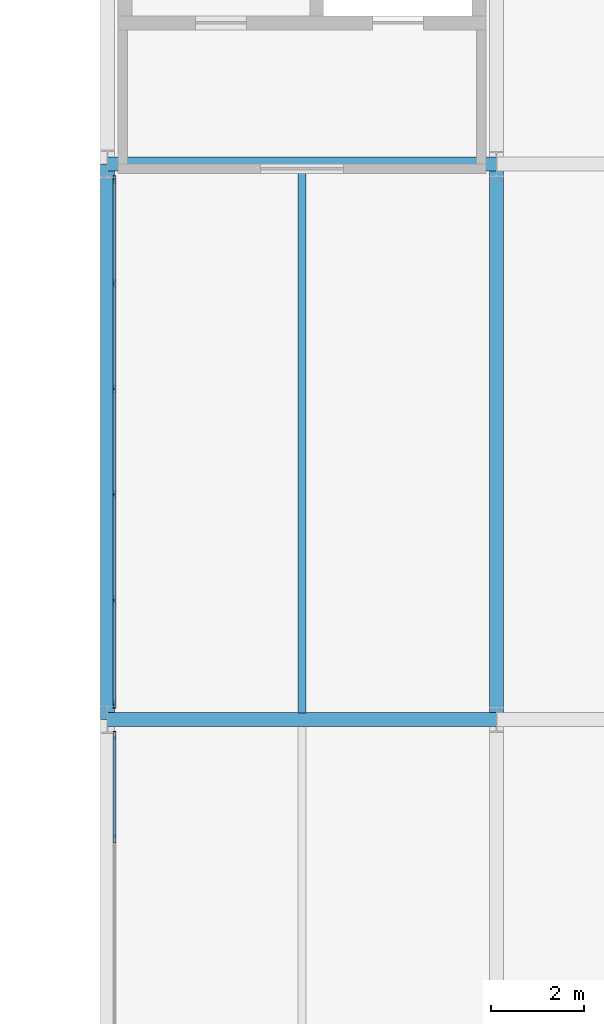
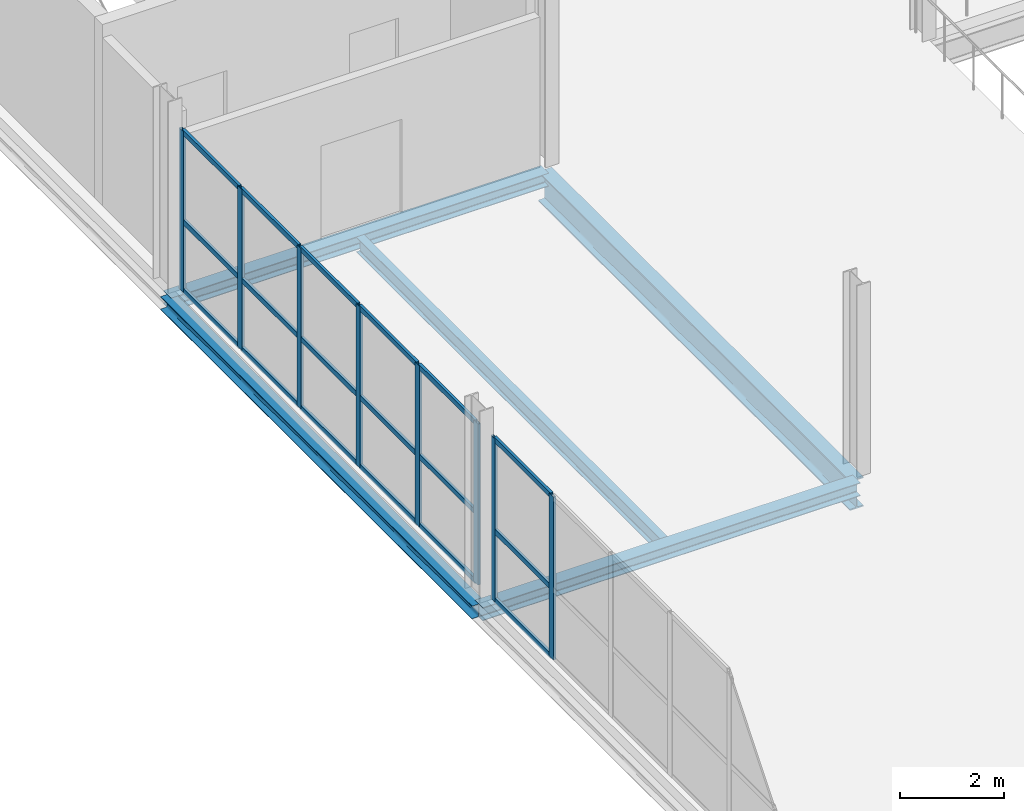
# One storey, part 32 of 109: 26 members, 5 beams, 2 elements without a shape of their own.
"""IFC4 building model written with IfcOpenShell, lengths in metres."""

from ifc_helpers import new_model, si_unit, direction, frame, origin, origin_2d, place, context, subcontext, project, spatial, hollow_rectangle, i_section, extrude, material, material_profile, profile_set, type_object, element, aggregate, save


model = new_model("IFC4")

# Units and contexts
model_context = context("Model", 3, precision=1e-05, world=origin(), true_north=direction((0.0, 1.0)))
body_context = subcontext(model_context, "Body", "Model", "MODEL_VIEW")
ifc_project = project(units=[si_unit("LENGTHUNIT", "METRE"), si_unit("AREAUNIT", "SQUARE_METRE"), si_unit("VOLUMEUNIT", "CUBIC_METRE"), si_unit("PLANEANGLEUNIT", "RADIAN"), si_unit("MASSUNIT", "GRAM", prefix="KILO")], contexts=[model_context])

# Site, building, storey
site_placement = place(None, origin())
site = spatial("IfcSite", under=ifc_project, at=site_placement, CompositionType="ELEMENT")
building_placement = place(site_placement, origin())
building = spatial("IfcBuilding", under=site, at=building_placement, Name="Veltarok Museum of Natural Sciences", CompositionType="ELEMENT")
storey_placement = place(building_placement, frame((0.0, 0.0, 17.39990234375)))
storey = spatial("IfcBuildingStorey", under=building, at=storey_placement, Name="L03", CompositionType="ELEMENT", Elevation=17.39990234375)

# Curtain wall, members
ifc_material_1 = material(Name="Low-iron triple insulated glass", Category="glass")
curtain_wall_type_1 = type_object("IfcCurtainWallType", Name="Curtain Wall System CW-V2W-L03-1-1140x383 (CW-V2W L03 1140x383cm)", PredefinedType="NOTDEFINED", material=ifc_material_1)
curtain_wall_1_placement = place(storey_placement, origin())
curtain_wall_1 = element("IfcCurtainWall", 1, at=curtain_wall_1_placement, inside=storey, type_object=curtain_wall_type_1, Name="Curtain Wall CW-V2W-L03-1-1140x383 CW-0145", PredefinedType="NOTDEFINED")
ifc_material_2 = material(Name="Thermally broken anodised aluminium", Category="aluminium")
ifc_material_profile_1 = material_profile(ifc_material_2, hollow_rectangle(XDim=0.06005859375, YDim=0.1201171875, WallThickness=0.0048828125, at=origin_2d()), Name="CW TRANSOM 60x120x5")
ifc_profile_set_1 = profile_set([ifc_material_profile_1], Name="Thermally broken anodised aluminium")
member_type_1 = type_object("IfcMemberType", Name="Curtain Wall Horizontal Transom 60x120x5", PredefinedType="USERDEFINED", material=ifc_profile_set_1)
member_1_placement = place(storey_placement, frame((40.14990234375, 45.449951171875, 0.028076171875), z_axis=(0.0, 1.0, 0.0), x_axis=(-1.0, 0.0, 0.0)))
member_1 = element("IfcMember", 2, at=member_1_placement, type_object=member_type_1, Name="CW-V2W-L03-1-1140x383 transom 5.1", ObjectType="TRANSOM", PredefinedType="USERDEFINED", context=body_context, shape_type="SweptSolid", body=[
    extrude(hollow_rectangle(XDim=0.06005859375, YDim=0.1201171875, WallThickness=0.0048828125, at=origin_2d()), origin(), (0.0, 0.0, 1.0), 2.18994140625),
])
member_2_placement = place(storey_placement, frame((40.14990234375, 45.449951171875, 1.648193359375), z_axis=(0.0, 1.0, 0.0), x_axis=(-1.0, 0.0, 0.0)))
member_2 = element("IfcMember", 3, at=member_2_placement, type_object=member_type_1, Name="CW-V2W-L03-1-1140x383 transom 5.2", ObjectType="TRANSOM", PredefinedType="USERDEFINED", context=body_context, shape_type="SweptSolid", body=[
    extrude(hollow_rectangle(XDim=0.06005859375, YDim=0.1201171875, WallThickness=0.0048828125, at=origin_2d()), origin(), (0.0, 0.0, 1.0), 2.18994140625),
])
member_3_placement = place(storey_placement, frame((40.14990234375, 45.449951171875, 3.800048828125), z_axis=(0.0, 1.0, 0.0), x_axis=(-1.0, 0.0, 0.0)))
member_3 = element("IfcMember", 4, at=member_3_placement, type_object=member_type_1, Name="CW-V2W-L03-1-1140x383 transom 5.3", ObjectType="TRANSOM", PredefinedType="USERDEFINED", context=body_context, shape_type="SweptSolid", body=[
    extrude(hollow_rectangle(XDim=0.06005859375, YDim=0.1201171875, WallThickness=0.0048828125, at=origin_2d()), origin(), (0.0, 0.0, 1.0), 2.18994140625),
])

curtain_wall_type_2 = type_object("IfcCurtainWallType", Name="Curtain Wall System CW-V2W-L03-2-1140x378 (CW-V2W L03 1140x378cm)", PredefinedType="NOTDEFINED", material=ifc_material_1)
curtain_wall_2_placement = place(storey_placement, origin())
curtain_wall_2 = element("IfcCurtainWall", 5, at=curtain_wall_2_placement, inside=storey, type_object=curtain_wall_type_2, Name="Curtain Wall CW-V2W-L03-2-1140x378 CW-0146", PredefinedType="NOTDEFINED")
member_4_placement = place(storey_placement, frame((40.14990234375, 48.360107421875, 0.028076171875), z_axis=(0.0, 1.0, 0.0), x_axis=(-1.0, 0.0, 0.0)))
member_4 = element("IfcMember", 6, at=member_4_placement, type_object=member_type_1, Name="CW-V2W-L03-2-1140x378 transom 1.1", ObjectType="TRANSOM", PredefinedType="USERDEFINED", context=body_context, shape_type="SweptSolid", body=[
    extrude(hollow_rectangle(XDim=0.06005859375, YDim=0.1201171875, WallThickness=0.0048828125, at=origin_2d()), origin(), (0.0, 0.0, 1.0), 2.18994140625),
])
member_5_placement = place(storey_placement, frame((40.14990234375, 48.360107421875, 1.648193359375), z_axis=(0.0, 1.0, 0.0), x_axis=(-1.0, 0.0, 0.0)))
member_5 = element("IfcMember", 7, at=member_5_placement, type_object=member_type_1, Name="CW-V2W-L03-2-1140x378 transom 1.2", ObjectType="TRANSOM", PredefinedType="USERDEFINED", context=body_context, shape_type="SweptSolid", body=[
    extrude(hollow_rectangle(XDim=0.06005859375, YDim=0.1201171875, WallThickness=0.0048828125, at=origin_2d()), origin(), (0.0, 0.0, 1.0), 2.18994140625),
])
member_6_placement = place(storey_placement, frame((40.14990234375, 48.360107421875, 3.75), z_axis=(0.0, 1.0, 0.0), x_axis=(-1.0, 0.0, 0.0)))
member_6 = element("IfcMember", 8, at=member_6_placement, type_object=member_type_1, Name="CW-V2W-L03-2-1140x378 transom 1.3", ObjectType="TRANSOM", PredefinedType="USERDEFINED", context=body_context, shape_type="SweptSolid", body=[
    extrude(hollow_rectangle(XDim=0.06005859375, YDim=0.1201171875, WallThickness=0.0048828125, at=origin_2d()), origin(), (0.0, 0.0, 1.0), 2.18994140625),
])
member_7_placement = place(storey_placement, frame((40.14990234375, 50.610107421875, 0.028076171875), z_axis=(0.0, 1.0, 0.0), x_axis=(-1.0, 0.0, 0.0)))
member_7 = element("IfcMember", 9, at=member_7_placement, type_object=member_type_1, Name="CW-V2W-L03-2-1140x378 transom 2.1", ObjectType="TRANSOM", PredefinedType="USERDEFINED", context=body_context, shape_type="SweptSolid", body=[
    extrude(hollow_rectangle(XDim=0.06005859375, YDim=0.1201171875, WallThickness=0.0048828125, at=origin_2d()), origin(), (0.0, 0.0, 1.0), 2.219970703125),
])
member_8_placement = place(storey_placement, frame((40.14990234375, 50.610107421875, 1.648193359375), z_axis=(0.0, 1.0, 0.0), x_axis=(-1.0, 0.0, 0.0)))
member_8 = element("IfcMember", 10, at=member_8_placement, type_object=member_type_1, Name="CW-V2W-L03-2-1140x378 transom 2.2", ObjectType="TRANSOM", PredefinedType="USERDEFINED", context=body_context, shape_type="SweptSolid", body=[
    extrude(hollow_rectangle(XDim=0.06005859375, YDim=0.1201171875, WallThickness=0.0048828125, at=origin_2d()), origin(), (0.0, 0.0, 1.0), 2.219970703125),
])
member_9_placement = place(storey_placement, frame((40.14990234375, 50.610107421875, 3.75), z_axis=(0.0, 1.0, 0.0), x_axis=(-1.0, 0.0, 0.0)))
member_9 = element("IfcMember", 11, at=member_9_placement, type_object=member_type_1, Name="CW-V2W-L03-2-1140x378 transom 2.3", ObjectType="TRANSOM", PredefinedType="USERDEFINED", context=body_context, shape_type="SweptSolid", body=[
    extrude(hollow_rectangle(XDim=0.06005859375, YDim=0.1201171875, WallThickness=0.0048828125, at=origin_2d()), origin(), (0.0, 0.0, 1.0), 2.219970703125),
])
member_10_placement = place(storey_placement, frame((40.14990234375, 52.889892578125, 0.028076171875), z_axis=(0.0, 1.0, 0.0), x_axis=(-1.0, 0.0, 0.0)))
member_10 = element("IfcMember", 12, at=member_10_placement, type_object=member_type_1, Name="CW-V2W-L03-2-1140x378 transom 3.1", ObjectType="TRANSOM", PredefinedType="USERDEFINED", context=body_context, shape_type="SweptSolid", body=[
    extrude(hollow_rectangle(XDim=0.06005859375, YDim=0.1201171875, WallThickness=0.0048828125, at=origin_2d()), origin(), (0.0, 0.0, 1.0), 2.22021484375),
])
member_11_placement = place(storey_placement, frame((40.14990234375, 52.889892578125, 1.648193359375), z_axis=(0.0, 1.0, 0.0), x_axis=(-1.0, 0.0, 0.0)))
member_11 = element("IfcMember", 13, at=member_11_placement, type_object=member_type_1, Name="CW-V2W-L03-2-1140x378 transom 3.2", ObjectType="TRANSOM", PredefinedType="USERDEFINED", context=body_context, shape_type="SweptSolid", body=[
    extrude(hollow_rectangle(XDim=0.06005859375, YDim=0.1201171875, WallThickness=0.0048828125, at=origin_2d()), origin(), (0.0, 0.0, 1.0), 2.22021484375),
])
member_12_placement = place(storey_placement, frame((40.14990234375, 52.889892578125, 3.75), z_axis=(0.0, 1.0, 0.0), x_axis=(-1.0, 0.0, 0.0)))
member_12 = element("IfcMember", 14, at=member_12_placement, type_object=member_type_1, Name="CW-V2W-L03-2-1140x378 transom 3.3", ObjectType="TRANSOM", PredefinedType="USERDEFINED", context=body_context, shape_type="SweptSolid", body=[
    extrude(hollow_rectangle(XDim=0.06005859375, YDim=0.1201171875, WallThickness=0.0048828125, at=origin_2d()), origin(), (0.0, 0.0, 1.0), 2.22021484375),
])
member_13_placement = place(storey_placement, frame((40.14990234375, 55.169921875, 0.028076171875), z_axis=(0.0, 1.0, 0.0), x_axis=(-1.0, 0.0, 0.0)))
member_13 = element("IfcMember", 15, at=member_13_placement, type_object=member_type_1, Name="CW-V2W-L03-2-1140x378 transom 4.1", ObjectType="TRANSOM", PredefinedType="USERDEFINED", context=body_context, shape_type="SweptSolid", body=[
    extrude(hollow_rectangle(XDim=0.06005859375, YDim=0.1201171875, WallThickness=0.0048828125, at=origin_2d()), origin(), (0.0, 0.0, 1.0), 2.219970703125),
])
member_14_placement = place(storey_placement, frame((40.14990234375, 55.169921875, 1.648193359375), z_axis=(0.0, 1.0, 0.0), x_axis=(-1.0, 0.0, 0.0)))
member_14 = element("IfcMember", 16, at=member_14_placement, type_object=member_type_1, Name="CW-V2W-L03-2-1140x378 transom 4.2", ObjectType="TRANSOM", PredefinedType="USERDEFINED", context=body_context, shape_type="SweptSolid", body=[
    extrude(hollow_rectangle(XDim=0.06005859375, YDim=0.1201171875, WallThickness=0.0048828125, at=origin_2d()), origin(), (0.0, 0.0, 1.0), 2.219970703125),
])
member_15_placement = place(storey_placement, frame((40.14990234375, 55.169921875, 3.75), z_axis=(0.0, 1.0, 0.0), x_axis=(-1.0, 0.0, 0.0)))
member_15 = element("IfcMember", 17, at=member_15_placement, type_object=member_type_1, Name="CW-V2W-L03-2-1140x378 transom 4.3", ObjectType="TRANSOM", PredefinedType="USERDEFINED", context=body_context, shape_type="SweptSolid", body=[
    extrude(hollow_rectangle(XDim=0.06005859375, YDim=0.1201171875, WallThickness=0.0048828125, at=origin_2d()), origin(), (0.0, 0.0, 1.0), 2.219970703125),
])
member_16_placement = place(storey_placement, frame((40.14990234375, 57.449951171875, 0.028076171875), z_axis=(0.0, 1.0, 0.0), x_axis=(-1.0, 0.0, 0.0)))
member_16 = element("IfcMember", 18, at=member_16_placement, type_object=member_type_1, Name="CW-V2W-L03-2-1140x378 transom 5.1", ObjectType="TRANSOM", PredefinedType="USERDEFINED", context=body_context, shape_type="SweptSolid", body=[
    extrude(hollow_rectangle(XDim=0.06005859375, YDim=0.1201171875, WallThickness=0.0048828125, at=origin_2d()), origin(), (0.0, 0.0, 1.0), 2.18994140625),
])
member_17_placement = place(storey_placement, frame((40.14990234375, 57.449951171875, 1.648193359375), z_axis=(0.0, 1.0, 0.0), x_axis=(-1.0, 0.0, 0.0)))
member_17 = element("IfcMember", 19, at=member_17_placement, type_object=member_type_1, Name="CW-V2W-L03-2-1140x378 transom 5.2", ObjectType="TRANSOM", PredefinedType="USERDEFINED", context=body_context, shape_type="SweptSolid", body=[
    extrude(hollow_rectangle(XDim=0.06005859375, YDim=0.1201171875, WallThickness=0.0048828125, at=origin_2d()), origin(), (0.0, 0.0, 1.0), 2.18994140625),
])
member_18_placement = place(storey_placement, frame((40.14990234375, 57.449951171875, 3.75), z_axis=(0.0, 1.0, 0.0), x_axis=(-1.0, 0.0, 0.0)))
member_18 = element("IfcMember", 20, at=member_18_placement, type_object=member_type_1, Name="CW-V2W-L03-2-1140x378 transom 5.3", ObjectType="TRANSOM", PredefinedType="USERDEFINED", context=body_context, shape_type="SweptSolid", body=[
    extrude(hollow_rectangle(XDim=0.06005859375, YDim=0.1201171875, WallThickness=0.0048828125, at=origin_2d()), origin(), (0.0, 0.0, 1.0), 2.18994140625),
])

# Member
ifc_material_profile_2 = material_profile(ifc_material_2, hollow_rectangle(XDim=0.06005859375, YDim=0.159912109375, WallThickness=0.0048828125, at=origin_2d()), Name="CW MULLION 60x160x5")
ifc_profile_set_2 = profile_set([ifc_material_profile_2], Name="Thermally broken anodised aluminium")
member_type_2 = type_object("IfcMemberType", Name="Curtain Wall Vertical Mullion 60x160x5", PredefinedType="MULLION", material=ifc_profile_set_2)
member_19_placement = place(storey_placement, frame((40.14990234375, 45.419921875, -0.001953125), z_axis=(0.0, 0.0, 1.0), x_axis=(-1.0, 0.0, 0.0)))
member_19 = element("IfcMember", 21, at=member_19_placement, type_object=member_type_2, Name="CW-V2W-L03-1-1140x383 mullion 5", PredefinedType="MULLION", context=body_context, shape_type="SweptSolid", body=[
    extrude(hollow_rectangle(XDim=0.06005859375, YDim=0.159912109375, WallThickness=0.0048828125, at=origin_2d()), origin(), (0.0, 0.0, 1.0), 3.83203125),
])

member_20_placement = place(storey_placement, frame((40.14990234375, 47.669921875, -0.001953125), z_axis=(0.0, 0.0, 1.0), x_axis=(-1.0, 0.0, 0.0)))
member_20 = element("IfcMember", 22, at=member_20_placement, type_object=member_type_2, Name="CW-V2W-L03-1-1140x383 mullion 6", PredefinedType="MULLION", context=body_context, shape_type="SweptSolid", body=[
    extrude(hollow_rectangle(XDim=0.06005859375, YDim=0.159912109375, WallThickness=0.0048828125, at=origin_2d()), origin(), (0.0, 0.0, 1.0), 3.83203125),
])

aggregate(curtain_wall_1, [member_19, member_20, member_1, member_2, member_3])

member_21_placement = place(storey_placement, frame((40.14990234375, 48.330078125, -0.001953125), z_axis=(0.0, 0.0, 1.0), x_axis=(-1.0, 0.0, 0.0)))
member_21 = element("IfcMember", 23, at=member_21_placement, type_object=member_type_2, Name="CW-V2W-L03-2-1140x378 mullion 1", PredefinedType="MULLION", context=body_context, shape_type="SweptSolid", body=[
    extrude(hollow_rectangle(XDim=0.06005859375, YDim=0.159912109375, WallThickness=0.0048828125, at=origin_2d()), origin(), (0.0, 0.0, 1.0), 3.781982421875),
])

member_22_placement = place(storey_placement, frame((40.14990234375, 50.580078125, -0.001953125), z_axis=(0.0, 0.0, 1.0), x_axis=(-1.0, 0.0, 0.0)))
member_22 = element("IfcMember", 24, at=member_22_placement, type_object=member_type_2, Name="CW-V2W-L03-2-1140x378 mullion 2", PredefinedType="MULLION", context=body_context, shape_type="SweptSolid", body=[
    extrude(hollow_rectangle(XDim=0.06005859375, YDim=0.159912109375, WallThickness=0.0048828125, at=origin_2d()), origin(), (0.0, 0.0, 1.0), 3.781982421875),
])

member_23_placement = place(storey_placement, frame((40.14990234375, 52.860107421875, -0.001953125), z_axis=(0.0, 0.0, 1.0), x_axis=(-1.0, 0.0, 0.0)))
member_23 = element("IfcMember", 25, at=member_23_placement, type_object=member_type_2, Name="CW-V2W-L03-2-1140x378 mullion 3", PredefinedType="MULLION", context=body_context, shape_type="SweptSolid", body=[
    extrude(hollow_rectangle(XDim=0.06005859375, YDim=0.159912109375, WallThickness=0.0048828125, at=origin_2d()), origin(), (0.0, 0.0, 1.0), 3.781982421875),
])

member_24_placement = place(storey_placement, frame((40.14990234375, 55.139892578125, -0.001953125), z_axis=(0.0, 0.0, 1.0), x_axis=(-1.0, 0.0, 0.0)))
member_24 = element("IfcMember", 26, at=member_24_placement, type_object=member_type_2, Name="CW-V2W-L03-2-1140x378 mullion 4", PredefinedType="MULLION", context=body_context, shape_type="SweptSolid", body=[
    extrude(hollow_rectangle(XDim=0.06005859375, YDim=0.159912109375, WallThickness=0.0048828125, at=origin_2d()), origin(), (0.0, 0.0, 1.0), 3.781982421875),
])

member_25_placement = place(storey_placement, frame((40.14990234375, 57.419921875, -0.001953125), z_axis=(0.0, 0.0, 1.0), x_axis=(-1.0, 0.0, 0.0)))
member_25 = element("IfcMember", 27, at=member_25_placement, type_object=member_type_2, Name="CW-V2W-L03-2-1140x378 mullion 5", PredefinedType="MULLION", context=body_context, shape_type="SweptSolid", body=[
    extrude(hollow_rectangle(XDim=0.06005859375, YDim=0.159912109375, WallThickness=0.0048828125, at=origin_2d()), origin(), (0.0, 0.0, 1.0), 3.781982421875),
])

member_26_placement = place(storey_placement, frame((40.14990234375, 59.669921875, -0.001953125), z_axis=(0.0, 0.0, 1.0), x_axis=(-1.0, 0.0, 0.0)))
member_26 = element("IfcMember", 28, at=member_26_placement, type_object=member_type_2, Name="CW-V2W-L03-2-1140x378 mullion 6", PredefinedType="MULLION", context=body_context, shape_type="SweptSolid", body=[
    extrude(hollow_rectangle(XDim=0.06005859375, YDim=0.159912109375, WallThickness=0.0048828125, at=origin_2d()), origin(), (0.0, 0.0, 1.0), 3.781982421875),
])

aggregate(curtain_wall_2, [member_21, member_22, member_23, member_24, member_25, member_26, member_4, member_5, member_6, member_7, member_8, member_9, member_10, member_11, member_12, member_13, member_14, member_15, member_16, member_17, member_18])

# Beams
ifc_material_3 = material(Name="Steel S355J2", Category="steel")
ifc_material_profile_3 = material_profile(ifc_material_3, i_section(OverallWidth=0.169921875, OverallDepth=0.360107421875, WebThickness=0.008056640625, FlangeThickness=0.0126953125, FilletRadius=0.01806640625, at=origin_2d()), Name="IPE 360")
ifc_profile_set_3 = profile_set([ifc_material_profile_3], Name="Steel S355J2")
beam_type_1 = type_object("IfcBeamType", Name="Long-Bay Composite Joist IPE 360", PredefinedType="JOIST", material=ifc_profile_set_3)
beam_1_placement = place(storey_placement, frame((44.199951171875, 48.14794921875, -0.429931640625), z_axis=(0.0, 1.0, 0.0), x_axis=(-1.0, 0.0, 0.0)))
element("IfcBeam", 29, at=beam_1_placement, inside=storey, type_object=beam_type_1, Name="Secondary Joist BM-J01 L03 5-6/F-G.1", PredefinedType="JOIST", context=body_context, shape_type="SweptSolid", body=[
    extrude(i_section(OverallWidth=0.169921875, OverallDepth=0.360107421875, WebThickness=0.008056640625, FlangeThickness=0.0126953125, FilletRadius=0.01806640625, at=origin_2d()), origin(), (0.0, 0.0, 1.0), 11.7041015625),
])
ifc_material_profile_4 = material_profile(ifc_material_3, i_section(OverallWidth=0.300048828125, OverallDepth=0.699951171875, WebThickness=0.01708984375, FlangeThickness=0.031982421875, FilletRadius=0.027099609375, at=origin_2d()), Name="HEB 700")
ifc_profile_set_4 = profile_set([ifc_material_profile_4], Name="Steel S355J2")
beam_type_2 = type_object("IfcBeamType", Name="Long-Span Hall Girder HEB 700", PredefinedType="BEAM", material=ifc_profile_set_4)
beam_2_placement = place(storey_placement, frame((48.39990234375, 48.0, -0.599853515625), z_axis=(0.0, 1.0, 0.0), x_axis=(-1.0, 0.0, 0.0)))
element("IfcBeam", 30, at=beam_2_placement, inside=storey, type_object=beam_type_2, Name="Beam BM-G01 L03 6/F-G", PredefinedType="BEAM", context=body_context, shape_type="SweptSolid", body=[
    extrude(i_section(OverallWidth=0.300048828125, OverallDepth=0.699951171875, WebThickness=0.01708984375, FlangeThickness=0.031982421875, FilletRadius=0.027099609375, at=origin_2d()), origin(), (0.0, 0.0, 1.0), 12.0),
])
ifc_material_profile_5 = material_profile(ifc_material_3, i_section(OverallWidth=0.300048828125, OverallDepth=0.31005859375, WebThickness=0.009033203125, FlangeThickness=0.015380859375, FilletRadius=0.027099609375, at=origin_2d()), Name="HEA 320")
ifc_profile_set_5 = profile_set([ifc_material_profile_5], Name="Steel S355J2")
beam_type_3 = type_object("IfcBeamType", Name="Perimeter Edge Spandrel HEA 320", PredefinedType="SPANDREL", material=ifc_profile_set_5)
for number, where, z_axis, x_axis, name in (
    (31, (40.0, 48.0, -0.40478515625), (1.0, 0.0, 0.0), (0.0, 1.0, 0.0), "Beam BM-SP04 L03 5-6/F"),
    (32, (40.0, 60.0, -0.40478515625), (1.0, 0.0, 0.0), (0.0, 1.0, 0.0), "Beam BM-SP04 L03 5-6/G"),
):
    element("IfcBeam", number, at=place(storey_placement, frame(where, z_axis=z_axis, x_axis=x_axis)), inside=storey, type_object=beam_type_3, Name=name, PredefinedType="SPANDREL", context=body_context, shape_type="SweptSolid", body=[
        extrude(i_section(OverallWidth=0.300048828125, OverallDepth=0.31005859375, WebThickness=0.009033203125, FlangeThickness=0.015380859375, FilletRadius=0.027099609375, at=origin_2d()), origin(), (0.0, 0.0, 1.0), 8.39990234375),
    ])
beam_3_placement = place(storey_placement, frame((40.0, 48.0, -0.40478515625), z_axis=(0.0, 1.0, 0.0), x_axis=(-1.0, 0.0, 0.0)))
element("IfcBeam", 33, at=beam_3_placement, inside=storey, type_object=beam_type_3, Name="Beam BM-SP04 L03 5/F-G", PredefinedType="SPANDREL", context=body_context, shape_type="SweptSolid", body=[
    extrude(i_section(OverallWidth=0.300048828125, OverallDepth=0.31005859375, WebThickness=0.009033203125, FlangeThickness=0.015380859375, FilletRadius=0.027099609375, at=origin_2d()), origin(), (0.0, 0.0, 1.0), 12.0),
])

save(model, "model.ifc")
